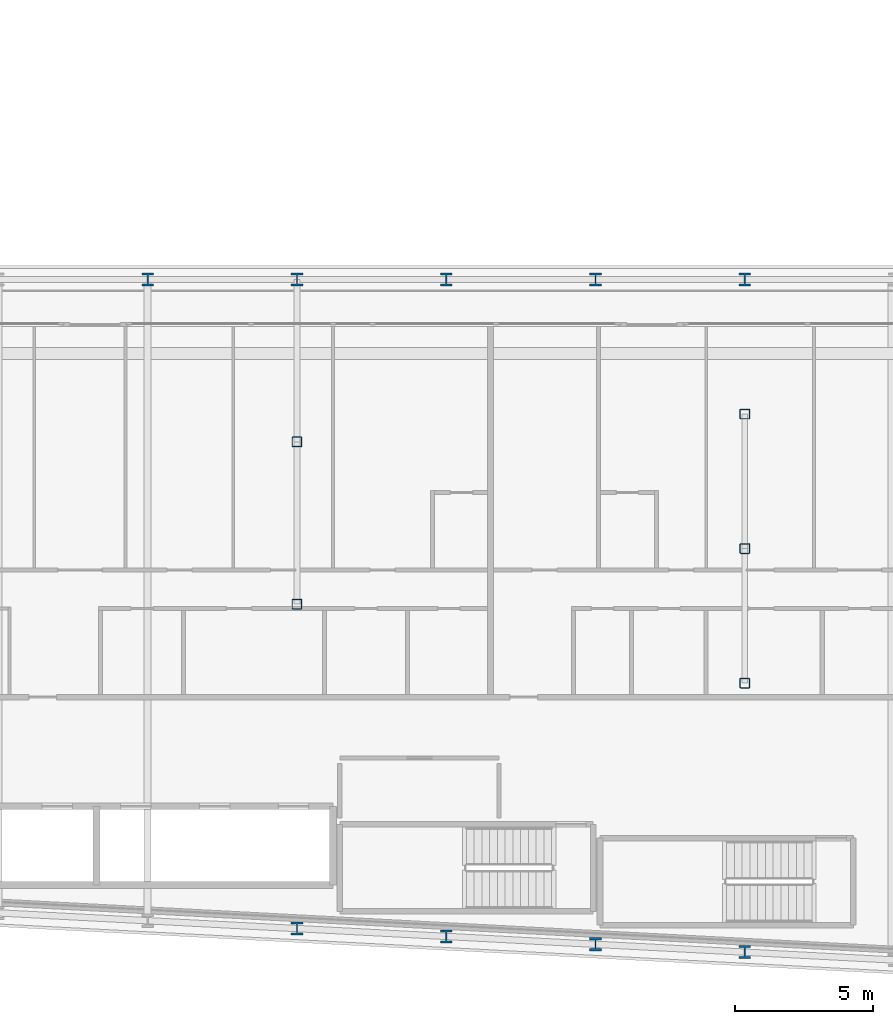
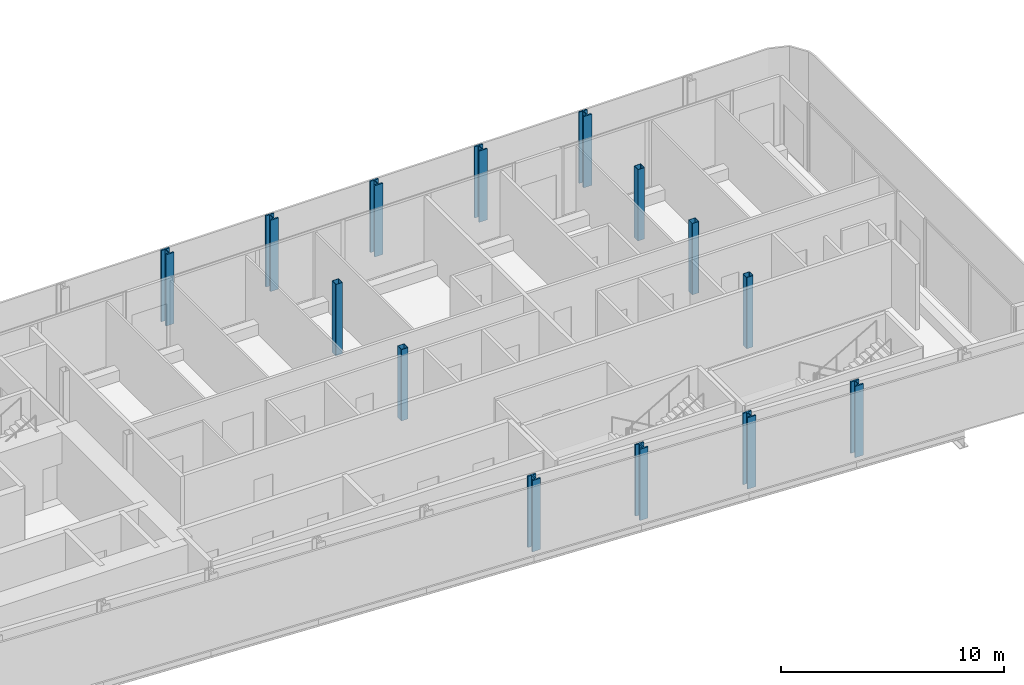
# One storey, part 2 of 27: 14 columns.
"""IFC4 building model written with IfcOpenShell, lengths in metres."""

from ifc_helpers import new_model, si_unit, direction, frame, origin, origin_2d, place, context, subcontext, project, spatial, hollow_rectangle, i_section, extrude, material, material_profile, profile_set, type_object, element, save


model = new_model("IFC4")

# Units and contexts
model_context = context("Model", 3, precision=1e-05, world=origin(), true_north=direction((0.0, 1.0)))
body_context = subcontext(model_context, "Body", "Model", "MODEL_VIEW")
ifc_project = project(units=[si_unit("LENGTHUNIT", "METRE"), si_unit("AREAUNIT", "SQUARE_METRE"), si_unit("VOLUMEUNIT", "CUBIC_METRE"), si_unit("PLANEANGLEUNIT", "RADIAN"), si_unit("MASSUNIT", "GRAM", prefix="KILO")], contexts=[model_context])

# Site, building, storey
site_placement = place(None, origin())
site = spatial("IfcSite", under=ifc_project, at=site_placement, CompositionType="ELEMENT")
building_placement = place(site_placement, origin())
building = spatial("IfcBuilding", under=site, at=building_placement, Name="Kheshtan School and Residences Tower", CompositionType="ELEMENT")
storey_placement = place(building_placement, frame((0.0, 0.0, 50.0)))
storey = spatial("IfcBuildingStorey", under=building, at=storey_placement, Name="L11", CompositionType="ELEMENT", Elevation=50.0)

# Columns
ifc_material_1 = material(Name="Steel ASTM A992 Grade 50", Category="steel")
ifc_material_profile_1 = material_profile(ifc_material_1, i_section(OverallWidth=0.424072265625, OverallDepth=0.47412109375, WebThickness=0.047607421875, FlangeThickness=0.0771484375, FilletRadius=0.01416015625, at=origin_2d()), Name="W360x634")
ifc_profile_set_1 = profile_set([ifc_material_profile_1], Name="Steel ASTM A992 Grade 50")
column_type_1 = type_object("IfcColumnType", Name="Column C1 W360x634 ASTM A992 Grade 50", PredefinedType="COLUMN", material=ifc_profile_set_1)
for number, where, z_axis, x_axis, name in (
    (1, (85.39990234375, 21.27392578125, 0.0), (0.0, 0.0, 1.0), (1.0, 0.0, 0.0), "Column C008"),
    (2, (80.0, 21.55810546875, 0.0), (0.0, 0.0, 1.0), (1.0, 0.0, 0.0), "Column C012"),
    (3, (74.60009765625, 21.843017578125, 0.0), (0.0, 0.0, 1.0), (1.0, 0.0, 0.0), "Column C013"),
    (4, (69.199951171875, 22.126953125, 0.0), (0.0, 0.0, 1.0), (1.0, 0.0, 0.0), "Column C014"),
    (5, (63.800048828125, 45.60009765625, 0.0), (0.0, 0.0, 1.0), (1.0, 0.0, 0.0), "Column C063"),
    (6, (69.199951171875, 45.60009765625, 0.0), (0.0, 0.0, 1.0), (1.0, 0.0, 0.0), "Column C064"),
    (7, (74.60009765625, 45.60009765625, 0.0), (0.0, 0.0, 1.0), (1.0, 0.0, 0.0), "Column C065"),
    (8, (80.0, 45.60009765625, 0.0), (0.0, 0.0, 1.0), (1.0, 0.0, 0.0), "Column C066"),
    (9, (85.39990234375, 45.60009765625, 0.0), (0.0, 0.0, 1.0), (1.0, 0.0, 0.0), "Column C067"),
):
    element("IfcColumn", number, at=place(storey_placement, frame(where, z_axis=z_axis, x_axis=x_axis)), inside=storey, type_object=column_type_1, Name=name, PredefinedType="COLUMN", context=body_context, shape_type="SweptSolid", body=[
        extrude(i_section(OverallWidth=0.424072265625, OverallDepth=0.47412109375, WebThickness=0.047607421875, FlangeThickness=0.0771484375, FilletRadius=0.01416015625, at=origin_2d()), origin(), (0.0, 0.0, 1.0), 3.89990234375),
    ])
ifc_material_2 = material(Name="Steel ASTM A500 Grade C", Category="steel")
ifc_material_profile_2 = material_profile(ifc_material_2, hollow_rectangle(XDim=0.35595703125, YDim=0.35595703125, WallThickness=0.015869140625, InnerFilletRadius=0.015869140625, OuterFilletRadius=0.03173828125, at=origin_2d()), Name="HSS 356x356x15.9")
ifc_profile_set_2 = profile_set([ifc_material_profile_2], Name="Steel ASTM A500 Grade C")
column_type_2 = type_object("IfcColumnType", Name="Column IC1 HSS 356x356x15.9 ASTM A500 Grade C", PredefinedType="COLUMN", material=ifc_profile_set_2)
for number, where, z_axis, x_axis, name in (
    (10, (85.39990234375, 31.0048828125, 0.0), (0.0, 0.0, 1.0), (1.0, 0.0, 0.0), "Column C049"),
    (11, (69.199951171875, 33.863037109375, 0.0), (0.0, 0.0, 1.0), (1.0, 0.0, 0.0), "Column C050"),
    (12, (85.39990234375, 35.8701171875, 0.0), (0.0, 0.0, 1.0), (1.0, 0.0, 0.0), "Column C053"),
    (13, (69.199951171875, 39.73193359375, 0.0), (0.0, 0.0, 1.0), (1.0, 0.0, 0.0), "Column C054"),
    (14, (85.39990234375, 40.735107421875, 0.0), (0.0, 0.0, 1.0), (1.0, 0.0, 0.0), "Column C057"),
):
    element("IfcColumn", number, at=place(storey_placement, frame(where, z_axis=z_axis, x_axis=x_axis)), inside=storey, type_object=column_type_2, Name=name, PredefinedType="COLUMN", context=body_context, shape_type="SweptSolid", body=[
        extrude(hollow_rectangle(XDim=0.35595703125, YDim=0.35595703125, WallThickness=0.015869140625, InnerFilletRadius=0.015869140625, OuterFilletRadius=0.03173828125, at=origin_2d()), origin(), (0.0, 0.0, 1.0), 3.89990234375),
    ])

save(model, "model.ifc")
